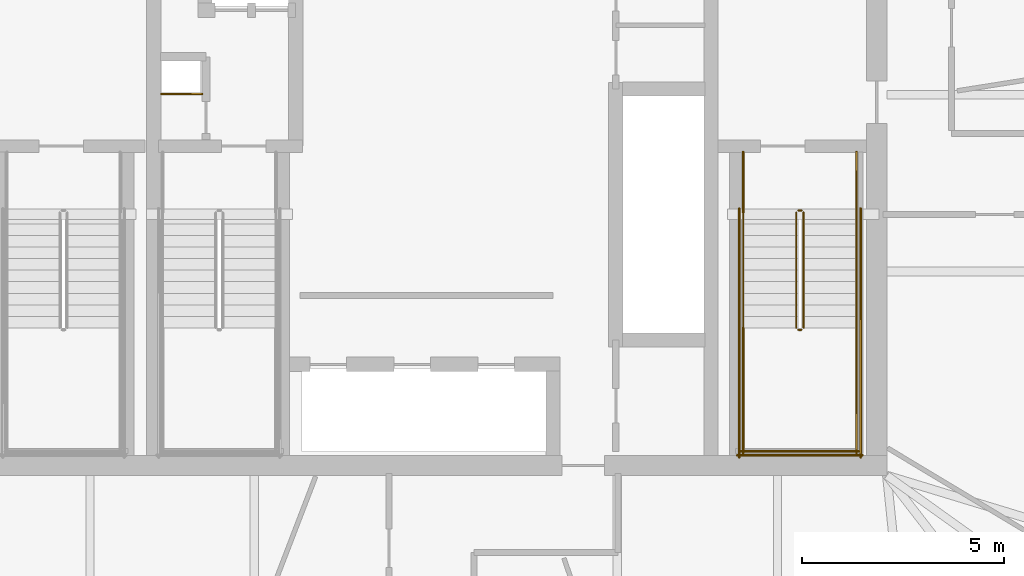
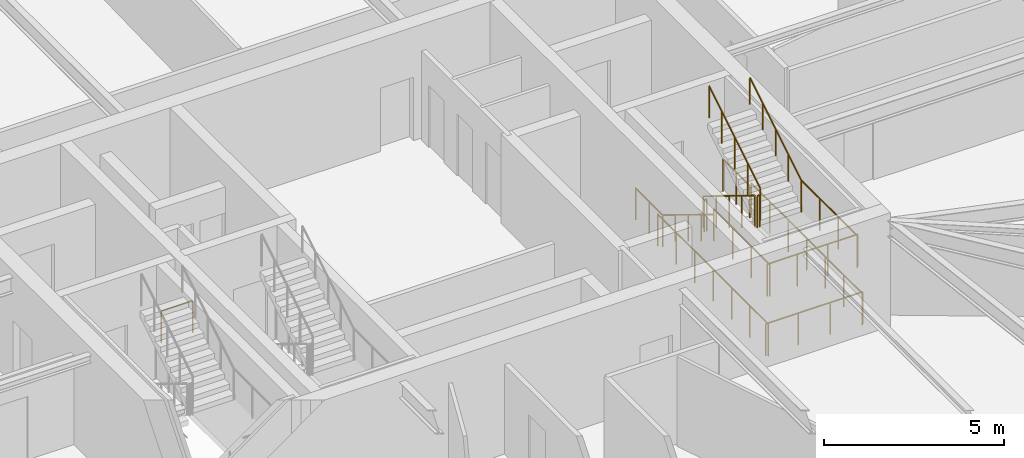
# One storey, part 17 of 18: 15 railings.
"""IFC4 building model written with IfcOpenShell, lengths in metres."""

from ifc_helpers import new_model, si_unit, direction, frame, origin, origin_2d, place, context, subcontext, project, spatial, circle, extrude, material, type_object, element, save


model = new_model("IFC4")

# Units and contexts
model_context = context("Model", 3, precision=1e-05, world=origin(), true_north=direction((0.0, 1.0)))
body_context = subcontext(model_context, "Body", "Model", "MODEL_VIEW")
ifc_project = project(units=[si_unit("LENGTHUNIT", "METRE"), si_unit("AREAUNIT", "SQUARE_METRE"), si_unit("VOLUMEUNIT", "CUBIC_METRE"), si_unit("PLANEANGLEUNIT", "RADIAN"), si_unit("MASSUNIT", "GRAM", prefix="KILO")], contexts=[model_context])

# Site, building, storey
site_placement = place(None, origin())
site = spatial("IfcSite", under=ifc_project, at=site_placement, CompositionType="ELEMENT")
building_placement = place(site_placement, origin())
building = spatial("IfcBuilding", under=site, at=building_placement, Name="Bramvorn Convention Spire", CompositionType="ELEMENT")
storey_placement = place(building_placement, frame((0.0, 0.0, 182.75)))
storey = spatial("IfcBuildingStorey", under=building, at=storey_placement, Name="L46", CompositionType="ELEMENT", Elevation=182.75)

# Railings
ifc_material_1 = material(Name="Painted Steel Balustrade & Guardrail", Category="steel")
railing_type_1 = type_object("IfcRailingType", Name="RL-STAIR-GUARD-1100", PredefinedType="GUARDRAIL", material=ifc_material_1)
railing_1_placement = place(storey_placement, frame((47.010009765625, 25.050048828125, 0.175048828125)))
element("IfcRailing", 1, at=railing_1_placement, inside=storey, type_object=railing_type_1, Name="L46 ST2 stair guard 1", PredefinedType="GUARDRAIL", context=body_context, shape_type="SweptSolid", body=[
    extrude(circle(Radius=0.02392578125, at=origin_2d()), frame((0.0, 0.0, 1.076171875), z_axis=(0.0, -0.852179220489, 0.52325001306), x_axis=(1.0, 0.0, 0.0)), (0.0, 0.0, 1.0), 3.344482421875),
    extrude(circle(Radius=0.02099609375, at=origin_2d()), origin(), (0.0, 0.0, 1.0), 1.052001953125),
    extrude(circle(Radius=0.02099609375, at=origin_2d()), frame((0.0, -0.71240234375, 0.4375)), (0.0, 0.0, 1.0), 1.052001953125),
    extrude(circle(Radius=0.02099609375, at=origin_2d()), frame((0.0, -1.425048828125, 0.875)), (0.0, 0.0, 1.0), 1.052001953125),
    extrude(circle(Radius=0.02099609375, at=origin_2d()), frame((0.0, -2.1376953125, 1.3125)), (0.0, 0.0, 1.0), 1.052001953125),
    extrude(circle(Radius=0.02099609375, at=origin_2d()), frame((0.0, -2.85009765625, 1.75)), (0.0, 0.0, 1.0), 1.052001953125),
])
railing_2_placement = place(storey_placement, frame((47.06005859375, 22.14990234375, 1.925048828125)))
element("IfcRailing", 2, at=railing_2_placement, inside=storey, type_object=railing_type_1, Name="L46 ST2 stair guard 2", PredefinedType="GUARDRAIL", context=body_context, shape_type="SweptSolid", body=[
    extrude(circle(Radius=0.02392578125, at=origin_2d()), frame((0.0, 0.0, 1.076171875), z_axis=(1.0, 0.0, 0.0), x_axis=(0.0, 1.0, 0.0)), (0.0, 0.0, 1.0), 0.079833984375),
    extrude(circle(Radius=0.02099609375, at=origin_2d()), origin(), (0.0, 0.0, 1.0), 1.052001953125),
    extrude(circle(Radius=0.02099609375, at=origin_2d()), frame((0.079833984375, 0.0, 0.0)), (0.0, 0.0, 1.0), 1.052001953125),
])
for number, where, name in (
    (3, (45.699951171875, 22.199951171875, 1.925048828125), "L46 ST2 stair guard 3"),
    (4, (48.5, 22.199951171875, 1.925048828125), "L46 ST2 stair guard 4"),
):
    element("IfcRailing", number, at=place(storey_placement, frame(where)), inside=storey, type_object=railing_type_1, Name=name, PredefinedType="GUARDRAIL", context=body_context, shape_type="SweptSolid", body=[
        extrude(circle(Radius=0.02392578125, at=origin_2d()), frame((0.0, 0.0, 1.076171875), z_axis=(0.0, -1.0, 0.0), x_axis=(1.0, 0.0, 0.0)), (0.0, 0.0, 1.0), 3.099853515625),
        extrude(circle(Radius=0.02099609375, at=origin_2d()), origin(), (0.0, 0.0, 1.0), 1.052001953125),
        extrude(circle(Radius=0.02099609375, at=origin_2d()), frame((0.0, -1.033203125, 0.0)), (0.0, 0.0, 1.0), 1.052001953125),
        extrude(circle(Radius=0.02099609375, at=origin_2d()), frame((0.0, -2.066650390625, 0.0)), (0.0, 0.0, 1.0), 1.052001953125),
        extrude(circle(Radius=0.02099609375, at=origin_2d()), frame((0.0, -3.099853515625, 0.0)), (0.0, 0.0, 1.0), 1.052001953125),
    ])
railing_3_placement = place(storey_placement, frame((45.64990234375, 19.14990234375, 1.925048828125)))
element("IfcRailing", 5, at=railing_3_placement, inside=storey, type_object=railing_type_1, Name="L46 ST2 stair guard 5", PredefinedType="GUARDRAIL", context=body_context, shape_type="SweptSolid", body=[
    extrude(circle(Radius=0.02392578125, at=origin_2d()), frame((0.0, 0.0, 1.076171875), z_axis=(1.0, 0.0, 0.0), x_axis=(0.0, 1.0, 0.0)), (0.0, 0.0, 1.0), 2.900146484375),
    extrude(circle(Radius=0.02099609375, at=origin_2d()), origin(), (0.0, 0.0, 1.0), 1.052001953125),
    extrude(circle(Radius=0.02099609375, at=origin_2d()), frame((0.966796875, 0.0, 0.0)), (0.0, 0.0, 1.0), 1.052001953125),
    extrude(circle(Radius=0.02099609375, at=origin_2d()), frame((1.933349609375, 0.0, 0.0)), (0.0, 0.0, 1.0), 1.052001953125),
    extrude(circle(Radius=0.02099609375, at=origin_2d()), frame((2.900146484375, 0.0, 0.0)), (0.0, 0.0, 1.0), 1.052001953125),
])
railing_4_placement = place(storey_placement, frame((47.18994140625, 22.199951171875, 2.10009765625)))
element("IfcRailing", 6, at=railing_4_placement, inside=storey, type_object=railing_type_1, Name="L46 ST2 stair guard 6", PredefinedType="GUARDRAIL", context=body_context, shape_type="SweptSolid", body=[
    extrude(circle(Radius=0.02392578125, at=origin_2d()), frame((0.0, 0.0, 1.076171875), z_axis=(0.0, 0.852179220489, 0.52325001306), x_axis=(-1.0, 0.0, 0.0)), (0.0, 0.0, 1.0), 3.344482421875),
    extrude(circle(Radius=0.02099609375, at=origin_2d()), origin(), (0.0, 0.0, 1.0), 1.052001953125),
    extrude(circle(Radius=0.02099609375, at=origin_2d()), frame((0.0, 0.71240234375, 0.4375)), (0.0, 0.0, 1.0), 1.052001953125),
    extrude(circle(Radius=0.02099609375, at=origin_2d()), frame((0.0, 1.425048828125, 0.875)), (0.0, 0.0, 1.0), 1.052001953125),
    extrude(circle(Radius=0.02099609375, at=origin_2d()), frame((0.0, 2.1376953125, 1.3125)), (0.0, 0.0, 1.0), 1.052001953125),
    extrude(circle(Radius=0.02099609375, at=origin_2d()), frame((0.0, 2.85009765625, 1.75)), (0.0, 0.0, 1.0), 1.052001953125),
])
railing_5_placement = place(storey_placement, frame((47.06005859375, 25.10009765625, 0.0)))
element("IfcRailing", 7, at=railing_5_placement, inside=storey, type_object=railing_type_1, Name="L46 ST2 stair guard 7", PredefinedType="GUARDRAIL", context=body_context, shape_type="SweptSolid", body=[
    extrude(circle(Radius=0.02392578125, at=origin_2d()), frame((0.0, 0.0, 1.076171875), z_axis=(1.0, 0.0, 0.0), x_axis=(0.0, 1.0, 0.0)), (0.0, 0.0, 1.0), 0.079833984375),
    extrude(circle(Radius=0.02099609375, at=origin_2d()), origin(), (0.0, 0.0, 1.0), 1.052001953125),
    extrude(circle(Radius=0.02099609375, at=origin_2d()), frame((0.079833984375, 0.0, 0.0)), (0.0, 0.0, 1.0), 1.052001953125),
])
for number, where, name in (
    (8, (45.699951171875, 26.550048828125, 0.0), "L46 ST2 stair guard 8"),
    (9, (48.5, 26.550048828125, 0.0), "L46 ST2 stair guard 9"),
):
    element("IfcRailing", number, at=place(storey_placement, frame(where)), inside=storey, type_object=railing_type_1, Name=name, PredefinedType="GUARDRAIL", context=body_context, shape_type="SweptSolid", body=[
        extrude(circle(Radius=0.02392578125, at=origin_2d()), frame((0.0, 0.0, 1.076171875), z_axis=(0.0, -1.0, 0.0), x_axis=(1.0, 0.0, 0.0)), (0.0, 0.0, 1.0), 1.5),
        extrude(circle(Radius=0.02099609375, at=origin_2d()), origin(), (0.0, 0.0, 1.0), 1.052001953125),
        extrude(circle(Radius=0.02099609375, at=origin_2d()), frame((0.0, -0.75, 0.0)), (0.0, 0.0, 1.0), 1.052001953125),
        extrude(circle(Radius=0.02099609375, at=origin_2d()), frame((0.0, -1.5, 0.0)), (0.0, 0.0, 1.0), 1.052001953125),
    ])
for number, where, name in (
    (10, (45.60009765625, 25.14990234375, 0.0), "L46 ST2 stair guard 10"),
    (11, (48.60009765625, 25.14990234375, 0.0), "L46 ST2 stair guard 11"),
):
    element("IfcRailing", number, at=place(storey_placement, frame(where)), inside=storey, type_object=railing_type_1, Name=name, PredefinedType="GUARDRAIL", context=body_context, shape_type="SweptSolid", body=[
        extrude(circle(Radius=0.02392578125, at=origin_2d()), frame((0.0, 0.0, 1.076171875), z_axis=(0.0, -1.0, 0.0), x_axis=(1.0, 0.0, 0.0)), (0.0, 0.0, 1.0), 6.14990234375),
        extrude(circle(Radius=0.02099609375, at=origin_2d()), origin(), (0.0, 0.0, 1.0), 1.052001953125),
        extrude(circle(Radius=0.02099609375, at=origin_2d()), frame((0.0, -1.02490234375, 0.0)), (0.0, 0.0, 1.0), 1.052001953125),
        extrude(circle(Radius=0.02099609375, at=origin_2d()), frame((0.0, -2.050048828125, 0.0)), (0.0, 0.0, 1.0), 1.052001953125),
        extrude(circle(Radius=0.02099609375, at=origin_2d()), frame((0.0, -3.074951171875, 0.0)), (0.0, 0.0, 1.0), 1.052001953125),
        extrude(circle(Radius=0.02099609375, at=origin_2d()), frame((0.0, -4.099853515625, 0.0)), (0.0, 0.0, 1.0), 1.052001953125),
        extrude(circle(Radius=0.02099609375, at=origin_2d()), frame((0.0, -5.125, 0.0)), (0.0, 0.0, 1.0), 1.052001953125),
        extrude(circle(Radius=0.02099609375, at=origin_2d()), frame((0.0, -6.14990234375, 0.0)), (0.0, 0.0, 1.0), 1.052001953125),
    ])
railing_6_placement = place(storey_placement, frame((45.550048828125, 19.050048828125, 0.0)))
element("IfcRailing", 12, at=railing_6_placement, inside=storey, type_object=railing_type_1, Name="L46 ST2 stair guard 12", PredefinedType="GUARDRAIL", context=body_context, shape_type="SweptSolid", body=[
    extrude(circle(Radius=0.02392578125, at=origin_2d()), frame((0.0, 0.0, 1.076171875), z_axis=(1.0, 0.0, 0.0), x_axis=(0.0, 1.0, 0.0)), (0.0, 0.0, 1.0), 3.099853515625),
    extrude(circle(Radius=0.02099609375, at=origin_2d()), origin(), (0.0, 0.0, 1.0), 1.052001953125),
    extrude(circle(Radius=0.02099609375, at=origin_2d()), frame((1.033203125, 0.0, 0.0)), (0.0, 0.0, 1.0), 1.052001953125),
    extrude(circle(Radius=0.02099609375, at=origin_2d()), frame((2.066650390625, 0.0, 0.0)), (0.0, 0.0, 1.0), 1.052001953125),
    extrude(circle(Radius=0.02099609375, at=origin_2d()), frame((3.099853515625, 0.0, 0.0)), (0.0, 0.0, 1.0), 1.052001953125),
])
railing_7_placement = place(storey_placement, frame((31.320068359375, 27.97998046875, 0.0)))
element("IfcRailing", 13, at=railing_7_placement, inside=storey, type_object=railing_type_1, Name="L46 Telecom riser shaft opening safety guardrail", PredefinedType="GUARDRAIL", context=body_context, shape_type="SweptSolid", body=[
    extrude(circle(Radius=0.02392578125, at=origin_2d()), frame((0.0, 0.0, 1.076171875), z_axis=(1.0, 0.0, 0.0), x_axis=(0.0, 1.0, 0.0)), (0.0, 0.0, 1.0), 1.0),
    extrude(circle(Radius=0.02099609375, at=origin_2d()), origin(), (0.0, 0.0, 1.0), 1.052001953125),
    extrude(circle(Radius=0.02099609375, at=origin_2d()), frame((1.0, 0.0, 0.0)), (0.0, 0.0, 1.0), 1.052001953125),
])
ifc_material_2 = material(Name="Brushed Bronze Tubular Handrail", Category="aluminium")
railing_type_2 = type_object("IfcRailingType", Name="RL-STAIR-HR-920", PredefinedType="HANDRAIL", material=ifc_material_2)
railing_8_placement = place(storey_placement, frame((45.699951171875, 25.050048828125, 0.175048828125)))
element("IfcRailing", 14, at=railing_8_placement, inside=storey, type_object=railing_type_2, Name="L46 ST2 stair handrail 1", PredefinedType="HANDRAIL", context=body_context, shape_type="SweptSolid", body=[
    extrude(circle(Radius=0.02392578125, at=origin_2d()), frame((0.0, 0.0, 0.89599609375), z_axis=(0.0, -0.852179220489, 0.52325001306), x_axis=(1.0, 0.0, 0.0)), (0.0, 0.0, 1.0), 3.344482421875),
    extrude(circle(Radius=0.02099609375, at=origin_2d()), origin(), (0.0, 0.0, 1.0), 0.871826171875),
    extrude(circle(Radius=0.02099609375, at=origin_2d()), frame((0.0, -0.71240234375, 0.4375)), (0.0, 0.0, 1.0), 0.871826171875),
    extrude(circle(Radius=0.02099609375, at=origin_2d()), frame((0.0, -1.425048828125, 0.875)), (0.0, 0.0, 1.0), 0.871826171875),
    extrude(circle(Radius=0.02099609375, at=origin_2d()), frame((0.0, -2.1376953125, 1.3125)), (0.0, 0.0, 1.0), 0.871826171875),
    extrude(circle(Radius=0.02099609375, at=origin_2d()), frame((0.0, -2.85009765625, 1.75)), (0.0, 0.0, 1.0), 0.871826171875),
])
railing_9_placement = place(storey_placement, frame((48.5, 22.199951171875, 2.10009765625)))
element("IfcRailing", 15, at=railing_9_placement, inside=storey, type_object=railing_type_2, Name="L46 ST2 stair handrail 2", PredefinedType="HANDRAIL", context=body_context, shape_type="SweptSolid", body=[
    extrude(circle(Radius=0.02392578125, at=origin_2d()), frame((0.0, 0.0, 0.89599609375), z_axis=(0.0, 0.852179220489, 0.52325001306), x_axis=(-1.0, 0.0, 0.0)), (0.0, 0.0, 1.0), 3.344482421875),
    extrude(circle(Radius=0.02099609375, at=origin_2d()), origin(), (0.0, 0.0, 1.0), 0.871826171875),
    extrude(circle(Radius=0.02099609375, at=origin_2d()), frame((0.0, 0.71240234375, 0.4375)), (0.0, 0.0, 1.0), 0.871826171875),
    extrude(circle(Radius=0.02099609375, at=origin_2d()), frame((0.0, 1.425048828125, 0.875)), (0.0, 0.0, 1.0), 0.871826171875),
    extrude(circle(Radius=0.02099609375, at=origin_2d()), frame((0.0, 2.1376953125, 1.3125)), (0.0, 0.0, 1.0), 0.871826171875),
    extrude(circle(Radius=0.02099609375, at=origin_2d()), frame((0.0, 2.85009765625, 1.75)), (0.0, 0.0, 1.0), 0.871826171875),
])

save(model, "model.ifc")
